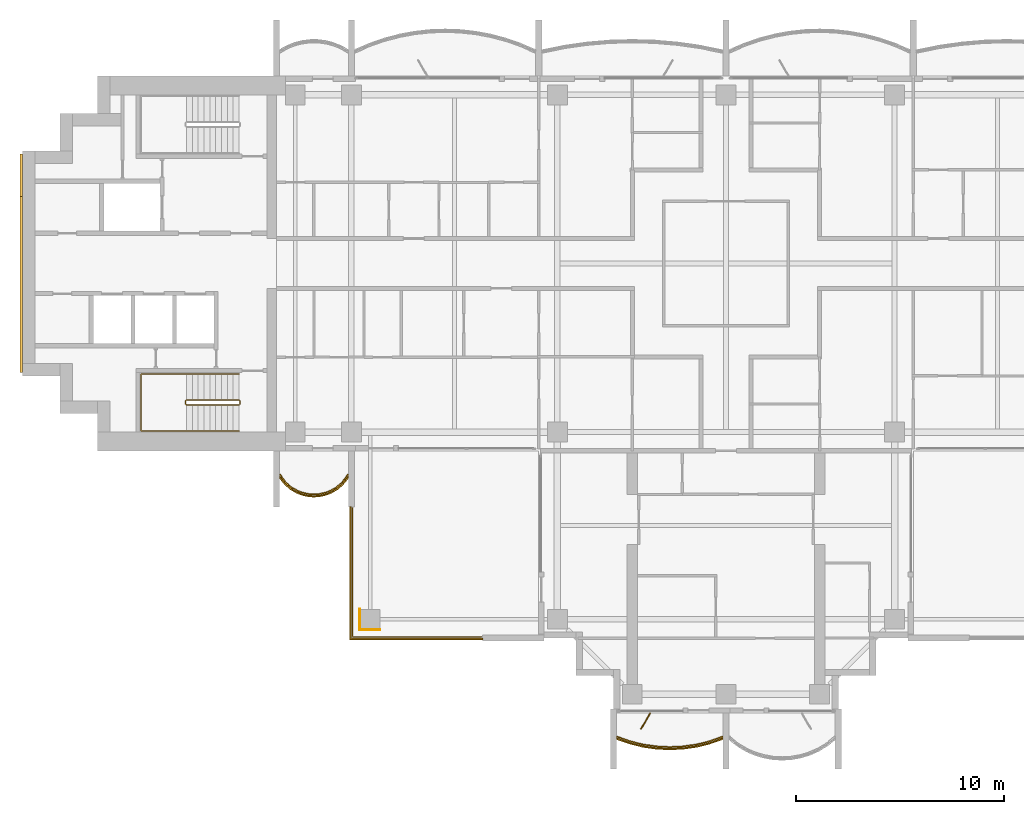
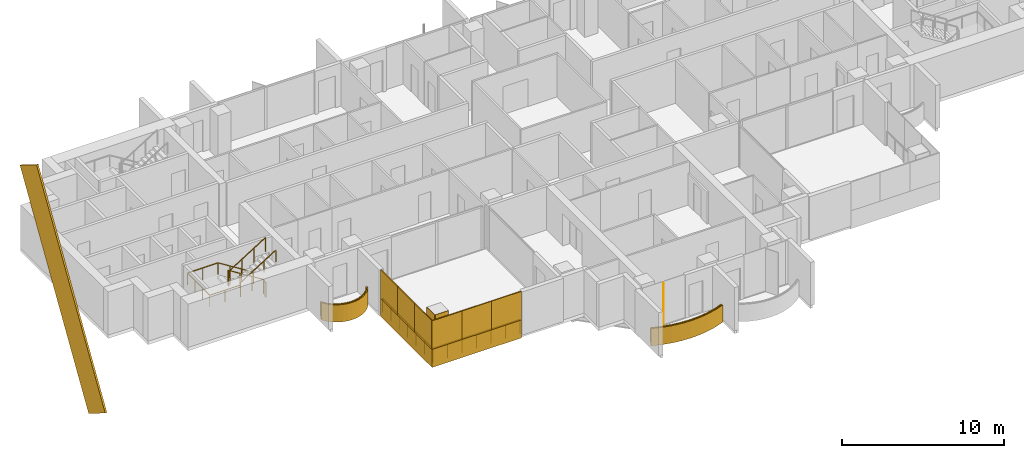
# One storey, part 15 of 18: 12 coverings, 5 railings, 1 shading device.
"""IFC4 building model written with IfcOpenShell, lengths in metres."""

import ifcopenshell
import ifcopenshell.guid

model = None  # the IFC model being written
_history = None  # IfcOwnerHistory: only IFC2X3 demands one
_inside = {}  # id of a spatial element -> (the spatial element, [elements in it])
_under = {}  # id of a project, library or spatial element -> (it, [spatial elements below it])
_declared = {}  # id of a project -> (the project, [libraries it declares])
_typed = {}  # id of a type object -> (the type object, [elements of that type])
_made_of = {}  # id of a material, layer set ... -> (it, [elements and type objects made of it])


def new_model(schema):
    """Start an empty IFC model of exactly this schema.

    Asked for "IFC4X3", IfcOpenShell would pick the latest addendum, in which some entities
    have other attributes; the version numbers below select the first issue.
    IFC2X3 requires an IfcOwnerHistory on every rooted entity: one is made here for all.
    """
    global model, _history
    if schema == "IFC4X3":
        model = ifcopenshell.file(schema_version=(4, 3, 0, 0))
    else:
        model = ifcopenshell.file(schema=schema)
    _inside.clear()
    _under.clear()
    _declared.clear()
    _typed.clear()
    _made_of.clear()
    _history = None
    if model.schema == "IFC2X3":
        org = make("IfcOrganization", Name="unknown")
        user = make(
            "IfcPersonAndOrganization",
            ThePerson=make("IfcPerson", FamilyName="unknown"),
            TheOrganization=org,
        )
        app = make(
            "IfcApplication",
            ApplicationDeveloper=org,
            Version="unknown",
            ApplicationFullName="unknown",
            ApplicationIdentifier="unknown",
        )
        _history = make(
            "IfcOwnerHistory",
            OwningUser=user,
            OwningApplication=app,
            ChangeAction="ADDED",
            CreationDate=0,
        )
    return model


def make(cls, **values):
    """One entity of the class cls with the attributes given. An attribute that is None is left unset."""
    return model.create_entity(
        cls, **{name: value for name, value in values.items() if value is not None}
    )


def rooted(cls, **values):
    """An entity with a GlobalId (a new one), such as an element, a storey or a relation."""
    return make(cls, GlobalId=ifcopenshell.guid.new(), OwnerHistory=_history, **values)


def si_unit(unit_type, name, prefix=None):
    """IfcSIUnit, for example si_unit("LENGTHUNIT", "METRE", prefix="MILLI")."""
    return make("IfcSIUnit", UnitType=unit_type, Prefix=prefix, Name=name)


def assignment(units):
    """IfcUnitAssignment: the units of a project."""
    return None if units is None else make("IfcUnitAssignment", Units=units)


def point(xyz):
    """IfcCartesianPoint."""
    return None if xyz is None else make("IfcCartesianPoint", Coordinates=xyz)


def direction(xyz):
    """IfcDirection."""
    return None if xyz is None else make("IfcDirection", DirectionRatios=xyz)


def frame(location, z_axis=None, x_axis=None):
    """IfcAxis2Placement3D, a coordinate frame: its origin and axes. An axis left out is left unset."""
    return make(
        "IfcAxis2Placement3D",
        Location=point(location),
        Axis=direction(z_axis),
        RefDirection=direction(x_axis),
    )


def frame_2d(location, x_axis=None):
    """IfcAxis2Placement2D, a coordinate frame in the plane: its origin and x axis."""
    return make(
        "IfcAxis2Placement2D", Location=point(location), RefDirection=direction(x_axis)
    )


def origin():
    """The frame at (0, 0, 0) with its axes left unset."""
    return frame((0.0, 0.0, 0.0))


def origin_2d():
    """The frame at (0, 0) in the plane with its x axis left unset."""
    return frame_2d((0.0, 0.0))


def place(relative_to, where):
    """IfcLocalPlacement: puts the frame where relative to a parent placement (None: the world)."""
    return make(
        "IfcLocalPlacement", PlacementRelTo=relative_to, RelativePlacement=where
    )


def context(
    kind, dimensions, precision=None, world=None, true_north=None, identifier=None
):
    """IfcGeometricRepresentationContext, for example the 3D "Model" context."""
    return make(
        "IfcGeometricRepresentationContext",
        ContextIdentifier=identifier,
        ContextType=kind,
        CoordinateSpaceDimension=dimensions,
        Precision=precision,
        WorldCoordinateSystem=world,
        TrueNorth=true_north,
    )


def subcontext(parent, identifier, kind, view, scale=None):
    """IfcGeometricRepresentationSubContext, for example "Body" below "Model"."""
    return make(
        "IfcGeometricRepresentationSubContext",
        ContextIdentifier=identifier,
        ContextType=kind,
        ParentContext=parent,
        TargetScale=scale,
        TargetView=view,
    )


def project(units=None, contexts=None):
    """IfcProject with its units and contexts."""
    return rooted(
        "IfcProject",
        Name="project",
        RepresentationContexts=contexts,
        UnitsInContext=assignment(units),
    )


def spatial(cls, under=None, at=None, **own):
    """A site, building, storey or space (cls), placed at a placement, below another one or the project."""
    s = rooted(cls, ObjectPlacement=at, **own)
    if under is not None:
        _under.setdefault(under.id(), (under, []))[1].append(s)
    return s


def polyline(points):
    """IfcPolyline through the points."""
    return make("IfcPolyline", Points=[point(p) for p in points])


def profile(cls, at=None, kind="AREA", **sizes):
    """A parametric profile (cls). Its sizes go by their IFC names, for example OverallWidth=200.0."""
    return make(cls, ProfileType=kind, Position=at, **sizes)


def rectangle(**sizes):
    """IfcRectangleProfileDef."""
    return profile("IfcRectangleProfileDef", **sizes)


def outline(outer, holes=None, kind="AREA"):
    """IfcArbitraryClosedProfileDef: a profile drawn as a closed curve; with holes, ...WithVoids."""
    if holes is None:
        return make("IfcArbitraryClosedProfileDef", ProfileType=kind, OuterCurve=outer)
    return make(
        "IfcArbitraryProfileDefWithVoids",
        ProfileType=kind,
        OuterCurve=outer,
        InnerCurves=holes,
    )


def extrude(swept, where, along, depth):
    """IfcExtrudedAreaSolid: the profile swept, set in the frame where, extruded along a direction by depth."""
    return make(
        "IfcExtrudedAreaSolid",
        SweptArea=swept,
        Position=where,
        ExtrudedDirection=direction(along),
        Depth=depth,
    )


def shape(context_of_items, identifier, shape_type, items):
    """IfcShapeRepresentation: the items that make up one representation, for example the "Body"."""
    return make(
        "IfcShapeRepresentation",
        ContextOfItems=context_of_items,
        RepresentationIdentifier=identifier,
        RepresentationType=shape_type,
        Items=items,
    )


def material(Name=None, Category=None):
    """IfcMaterial."""
    return make("IfcMaterial", Name=Name, Category=Category)


def layer(
    of_material, thickness, ventilated=None, Name=None, Category=None, Priority=None
):
    """IfcMaterialLayer: one layer of a wall or slab, of a material (None: an air gap)."""
    return make(
        "IfcMaterialLayer",
        Material=of_material,
        LayerThickness=thickness,
        IsVentilated=ventilated,
        Name=Name,
        Category=Category,
        Priority=Priority,
    )


def layer_set(layers, Name=None):
    """IfcMaterialLayerSet."""
    return make("IfcMaterialLayerSet", MaterialLayers=layers, LayerSetName=Name)


def material_profile(
    of_material, cross_section, Name=None, Category=None, Priority=None
):
    """IfcMaterialProfile: a cross section and its material."""
    return make(
        "IfcMaterialProfile",
        Name=Name,
        Material=of_material,
        Profile=cross_section,
        Priority=Priority,
        Category=Category,
    )


def profile_set(profiles, Name=None, composite=None):
    """IfcMaterialProfileSet."""
    return make(
        "IfcMaterialProfileSet",
        Name=Name,
        MaterialProfiles=profiles,
        CompositeProfile=composite,
    )


def made_of(thing, what):
    """Note that an element or type object is made of a material, layer set ...; save() writes the relation."""
    if what is not None:
        _made_of.setdefault(what.id(), (what, []))[1].append(thing)
    return thing


def type_object(cls, material=None, **own):
    """A type object (cls), such as IfcWallType, which elements share."""
    return made_of(rooted(cls, **own), material)


def element(
    cls,
    number,
    at=None,
    inside=None,
    cuts=None,
    type_object=None,
    material=None,
    context=None,
    identifier="Body",
    shape_type=None,
    held_by="IfcProductDefinitionShape",
    body=None,
    shapes=None,
    **own,
):
    """One element of the class cls, such as IfcWall. Its Tag is "e" and its number.

    at: its placement. inside: the storey or other place that contains it. cuts: it is an
    opening in that element (IfcRelVoidsElement). A single representation is given by context,
    identifier, shape_type and body (its items); several are given by shapes. held_by: the class
    of the entity that holds the representations. save() writes the other relations.
    """
    e = rooted(cls, Tag="e%d" % number, ObjectPlacement=at, **own)
    if body is not None:
        shapes = [shape(context, identifier, shape_type, body)]
    if shapes is not None:
        e.Representation = make(held_by, Representations=shapes)
    if inside is not None:
        _inside.setdefault(inside.id(), (inside, []))[1].append(e)
    if cuts is not None:
        rooted(
            "IfcRelVoidsElement", RelatingBuildingElement=cuts, RelatedOpeningElement=e
        )
    if type_object is not None:
        _typed.setdefault(type_object.id(), (type_object, []))[1].append(e)
    return made_of(e, material)


def aggregate(whole, parts):
    """IfcRelAggregates: a whole, such as a stair, and the parts it consists of."""
    return rooted("IfcRelAggregates", RelatingObject=whole, RelatedObjects=parts)


def save(model, path):
    """Write the relations noted so far, then the file.

    IfcRelAggregates (storeys below a building ...), IfcRelContainedInSpatialStructure (elements
    in a storey), IfcRelDefinesByType, IfcRelAssociatesMaterial and IfcRelDeclares: one each for
    every whole, place, type object, material and project.
    """
    for whole, parts in _under.values():
        aggregate(whole, parts)
    for where, things in _inside.values():
        rooted(
            "IfcRelContainedInSpatialStructure",
            RelatedElements=things,
            RelatingStructure=where,
        )
    for kind, things in _typed.values():
        rooted("IfcRelDefinesByType", RelatedObjects=things, RelatingType=kind)
    for what, things in _made_of.values():
        rooted("IfcRelAssociatesMaterial", RelatedObjects=things, RelatingMaterial=what)
    for by, libraries in _declared.values():
        rooted("IfcRelDeclares", RelatingContext=by, RelatedDefinitions=libraries)
    model.write(path)


model = new_model("IFC4")

# Units and contexts
model_context = context("Model", 3, precision=1e-05, world=origin(), true_north=direction((0.0, 1.0)))
body_context = subcontext(model_context, "Body", "Model", "MODEL_VIEW")
ifc_project = project(units=[si_unit("LENGTHUNIT", "METRE"), si_unit("AREAUNIT", "SQUARE_METRE"), si_unit("VOLUMEUNIT", "CUBIC_METRE"), si_unit("PLANEANGLEUNIT", "RADIAN"), si_unit("MASSUNIT", "GRAM", prefix="KILO")], contexts=[model_context])

# Site, building, storey
site_placement = place(None, origin())
site = spatial("IfcSite", under=ifc_project, at=site_placement, CompositionType="ELEMENT")
building_placement = place(site_placement, origin())
building = spatial("IfcBuilding", under=site, at=building_placement, Name="Perihelion Cross Residences", CompositionType="ELEMENT")
storey_placement = place(building_placement, frame((0.0, 0.0, 215.60009765625)))
storey = spatial("IfcBuildingStorey", under=building, at=storey_placement, Name="L54", CompositionType="ELEMENT", Elevation=215.60009765625)

# Coverings
ifc_material_1 = material(Name="Bronze anodised aluminium", Category="aluminium")
ifc_layer_1 = layer(ifc_material_1, 0.070068359375)
ifc_layer_set_1 = layer_set([ifc_layer_1], Name="Balcony fascia 1300")
covering_type_1 = type_object("IfcCoveringType", Name="Balcony fascia 1300", PredefinedType="CLADDING", material=ifc_layer_set_1)
covering_1_placement = place(storey_placement, frame((0.0, 0.0, -0.2001953125)))
element("IfcCovering", 1, at=covering_1_placement, inside=storey, type_object=covering_type_1, Name="Fascia BF1 L54 west side south bay 1", PredefinedType="CLADDING", context=body_context, shape_type="SweptSolid", body=[
    extrude(outline(polyline([(-21.226318359375, -10.616455078125), (-20.94091796875, -10.86328125), (-20.655517578125, -11.031494140625), (-20.370361328125, -11.142578125), (-20.085205078125, -11.206298828125), (-19.800048828125, -11.22705078125), (-19.514892578125, -11.206298828125), (-19.229736328125, -11.142578125), (-18.9443359375, -11.031494140625), (-18.6591796875, -10.86328125), (-18.373779296875, -10.616455078125), (-18.14990234375, -10.31689453125), (-18.14990234375, -10.199951171875), (-18.425048828125, -10.568603515625), (-18.699951171875, -10.806396484375), (-18.97509765625, -10.96875), (-19.25, -11.07568359375), (-19.52490234375, -11.136962890625), (-19.800048828125, -11.156982421875), (-20.074951171875, -11.136962890625), (-20.35009765625, -11.07568359375), (-20.625, -10.96875), (-20.89990234375, -10.806396484375), (-21.175048828125, -10.568603515625), (-21.449951171875, -10.199951171875), (-21.449951171875, -10.31689453125), (-21.226318359375, -10.616455078125)])), origin(), (0.0, 0.0, 1.0), 1.300048828125),
])
covering_2_placement = place(storey_placement, frame((0.0, 0.0, -0.2001953125)))
element("IfcCovering", 2, at=covering_2_placement, inside=storey, type_object=covering_type_1, Name="Fascia BF1 L54 south tip south bay 1", PredefinedType="CLADDING", context=body_context, shape_type="SweptSolid", body=[
    extrude(outline(polyline([(-4.63232421875, -23.090576171875), (-3.98828125, -23.247314453125), (-3.34423828125, -23.339599609375), (-2.699951171875, -23.3701171875), (-2.055908203125, -23.339599609375), (-1.411865234375, -23.247314453125), (-0.767578125, -23.090576171875), (-0.14990234375, -22.874267578125), (-0.14990234375, -22.800048828125), (-0.78759765625, -23.0234375), (-1.425048828125, -23.178466796875), (-2.0625, -23.269775390625), (-2.699951171875, -23.300048828125), (-3.33740234375, -23.269775390625), (-3.97509765625, -23.178466796875), (-4.612548828125, -23.0234375), (-5.25, -22.800048828125), (-5.25, -22.874267578125), (-4.63232421875, -23.090576171875)])), origin(), (0.0, 0.0, 1.0), 1.300048828125),
])

# Railings
ifc_material_2 = material(Name="Bronze anodised aluminium", Category="aluminium")
railing_type_1 = type_object("IfcRailingType", Name="Balcony guard 1100", PredefinedType="GUARDRAIL", material=ifc_material_2)
railing_1_placement = place(storey_placement, frame((-21.425048828125, -10.139892578125, 0.0)))
element("IfcRailing", 3, at=railing_1_placement, inside=storey, type_object=railing_type_1, Name="Guard GU1 L54 west side south bay 1 balcony", PredefinedType="GUARDRAIL", context=body_context, shape_type="SweptSolid", body=[
    extrude(rectangle(XDim=0.048095703125, YDim=0.048095703125, at=origin_2d()), frame((0.0, 0.0, 1.076171875), z_axis=(0.561260132269, -0.827639452857, 0.0), x_axis=(0.827639452857, 0.561260132269, 0.0)), (0.0, 0.0, 1.0), 0.4453125),
    extrude(rectangle(XDim=0.048095703125, YDim=0.048095703125, at=origin_2d()), frame((0.25, -0.36865234375, 1.076171875), z_axis=(0.756596535164, -0.653882009982, 0.0), x_axis=(0.653882009982, 0.756596535164, 0.0)), (0.0, 0.0, 1.0), 0.36376953125),
    extrude(rectangle(XDim=0.048095703125, YDim=0.048095703125, at=origin_2d()), frame((0.525146484375, -0.6064453125, 1.076171875), z_axis=(0.861048292884, -0.508523192511, 0.0), x_axis=(0.508523192511, 0.861048292884, 0.0)), (0.0, 0.0, 1.0), 0.3193359375),
    extrude(rectangle(XDim=0.048095703125, YDim=0.048095703125, at=origin_2d()), frame((0.800048828125, -0.768798828125, 1.076171875), z_axis=(0.931973602183, -0.362526143656, 0.0), x_axis=(0.362526143656, 0.931973602183, 0.0)), (0.0, 0.0, 1.0), 0.294921875),
    extrude(rectangle(XDim=0.048095703125, YDim=0.048095703125, at=origin_2d()), frame((1.074951171875, -0.875732421875, 1.076171875), z_axis=(0.976085059389, -0.21738895289, 0.0), x_axis=(0.21738895289, 0.976085059389, 0.0)), (0.0, 0.0, 1.0), 0.281982421875),
    extrude(rectangle(XDim=0.048095703125, YDim=0.048095703125, at=origin_2d()), frame((1.35009765625, -0.93701171875, 1.076171875), z_axis=(0.997358821833, -0.072631814734, 0.0), x_axis=(0.072631814734, 0.997358821833, 0.0)), (0.0, 0.0, 1.0), 0.275634765625),
    extrude(rectangle(XDim=0.048095703125, YDim=0.048095703125, at=origin_2d()), frame((1.625, -0.95703125, 1.076171875), z_axis=(0.997363488337, 0.072567707226, 0.0), x_axis=(-0.072567707226, 0.997363488337, 0.0)), (0.0, 0.0, 1.0), 0.27587890625),
    extrude(rectangle(XDim=0.048095703125, YDim=0.048095703125, at=origin_2d()), frame((1.900146484375, -0.93701171875, 1.076171875), z_axis=(0.976044077717, 0.217572880557, 0.0), x_axis=(-0.217572880557, 0.976044077717, 0.0)), (0.0, 0.0, 1.0), 0.28173828125),
    extrude(rectangle(XDim=0.048095703125, YDim=0.048095703125, at=origin_2d()), frame((2.175048828125, -0.875732421875, 1.076171875), z_axis=(0.931973602183, 0.362526143656, 0.0), x_axis=(-0.362526143656, 0.931973602183, 0.0)), (0.0, 0.0, 1.0), 0.294921875),
    extrude(rectangle(XDim=0.048095703125, YDim=0.048095703125, at=origin_2d()), frame((2.449951171875, -0.768798828125, 1.076171875), z_axis=(0.861245845072, 0.508188542123, 0.0), x_axis=(-0.508188542123, 0.861245845072, 0.0)), (0.0, 0.0, 1.0), 0.319580078125),
    extrude(rectangle(XDim=0.048095703125, YDim=0.048095703125, at=origin_2d()), frame((2.72509765625, -0.6064453125, 1.076171875), z_axis=(0.756309278473, 0.654214242658, 0.0), x_axis=(-0.654214242658, 0.756309278473, 0.0)), (0.0, 0.0, 1.0), 0.363525390625),
    extrude(rectangle(XDim=0.048095703125, YDim=0.048095703125, at=origin_2d()), frame((3.0, -0.36865234375, 1.076171875), z_axis=(0.561260132269, 0.827639452857, 0.0), x_axis=(-0.827639452857, 0.561260132269, 0.0)), (0.0, 0.0, 1.0), 0.4453125),
    extrude(rectangle(XDim=0.0419921875, YDim=0.0419921875, at=origin_2d()), origin(), (0.0, 0.0, 1.0), 1.052001953125),
    extrude(rectangle(XDim=0.0419921875, YDim=0.0419921875, at=origin_2d()), frame((0.25, -0.36865234375, 0.0)), (0.0, 0.0, 1.0), 1.052001953125),
    extrude(rectangle(XDim=0.0419921875, YDim=0.0419921875, at=origin_2d()), frame((0.525146484375, -0.6064453125, 0.0)), (0.0, 0.0, 1.0), 1.052001953125),
    extrude(rectangle(XDim=0.0419921875, YDim=0.0419921875, at=origin_2d()), frame((0.800048828125, -0.768798828125, 0.0)), (0.0, 0.0, 1.0), 1.052001953125),
    extrude(rectangle(XDim=0.0419921875, YDim=0.0419921875, at=origin_2d()), frame((1.074951171875, -0.875732421875, 0.0)), (0.0, 0.0, 1.0), 1.052001953125),
    extrude(rectangle(XDim=0.0419921875, YDim=0.0419921875, at=origin_2d()), frame((1.35009765625, -0.93701171875, 0.0)), (0.0, 0.0, 1.0), 1.052001953125),
    extrude(rectangle(XDim=0.0419921875, YDim=0.0419921875, at=origin_2d()), frame((1.625, -0.95703125, 0.0)), (0.0, 0.0, 1.0), 1.052001953125),
    extrude(rectangle(XDim=0.0419921875, YDim=0.0419921875, at=origin_2d()), frame((1.900146484375, -0.93701171875, 0.0)), (0.0, 0.0, 1.0), 1.052001953125),
    extrude(rectangle(XDim=0.0419921875, YDim=0.0419921875, at=origin_2d()), frame((2.175048828125, -0.875732421875, 0.0)), (0.0, 0.0, 1.0), 1.052001953125),
    extrude(rectangle(XDim=0.0419921875, YDim=0.0419921875, at=origin_2d()), frame((2.449951171875, -0.768798828125, 0.0)), (0.0, 0.0, 1.0), 1.052001953125),
    extrude(rectangle(XDim=0.0419921875, YDim=0.0419921875, at=origin_2d()), frame((2.72509765625, -0.6064453125, 0.0)), (0.0, 0.0, 1.0), 1.052001953125),
    extrude(rectangle(XDim=0.0419921875, YDim=0.0419921875, at=origin_2d()), frame((3.0, -0.36865234375, 0.0)), (0.0, 0.0, 1.0), 1.052001953125),
    extrude(rectangle(XDim=0.0419921875, YDim=0.0419921875, at=origin_2d()), frame((3.25, 0.0, 0.0)), (0.0, 0.0, 1.0), 1.052001953125),
])
railing_2_placement = place(storey_placement, frame((-5.22509765625, -22.739990234375, 0.0)))
element("IfcRailing", 4, at=railing_2_placement, inside=storey, type_object=railing_type_1, Name="Guard GU1 L54 south tip south bay 1 balcony", PredefinedType="GUARDRAIL", context=body_context, shape_type="SweptSolid", body=[
    extrude(rectangle(XDim=0.048095703125, YDim=0.048095703125, at=origin_2d()), frame((0.0, 0.0, 1.076171875), z_axis=(0.939355405384, -0.342945217749, 0.0), x_axis=(0.342945217749, 0.939355405384, 0.0)), (0.0, 0.0, 1.0), 0.652099609375),
    extrude(rectangle(XDim=0.048095703125, YDim=0.048095703125, at=origin_2d()), frame((0.612548828125, -0.2236328125, 1.076171875), z_axis=(0.971676841941, -0.236313594268, 0.0), x_axis=(0.236313594268, 0.971676841941, 0.0)), (0.0, 0.0, 1.0), 0.656005859375),
    extrude(rectangle(XDim=0.048095703125, YDim=0.048095703125, at=origin_2d()), frame((1.25, -0.378662109375, 1.076171875), z_axis=(0.989903964498, -0.141739694763, 0.0), x_axis=(0.141739694763, 0.989903964498, 0.0)), (0.0, 0.0, 1.0), 0.644287109375),
    extrude(rectangle(XDim=0.048095703125, YDim=0.048095703125, at=origin_2d()), frame((1.8876953125, -0.469970703125, 1.076171875), z_axis=(0.998892243319, -0.04705620296, 0.0), x_axis=(0.04705620296, 0.998892243319, 0.0)), (0.0, 0.0, 1.0), 0.63818359375),
    extrude(rectangle(XDim=0.048095703125, YDim=0.048095703125, at=origin_2d()), frame((2.525146484375, -0.5, 1.076171875), z_axis=(0.998892243319, 0.04705620296, 0.0), x_axis=(-0.04705620296, 0.998892243319, 0.0)), (0.0, 0.0, 1.0), 0.63818359375),
    extrude(rectangle(XDim=0.048095703125, YDim=0.048095703125, at=origin_2d()), frame((3.16259765625, -0.469970703125, 1.076171875), z_axis=(0.989896346386, 0.141792889142, 0.0), x_axis=(-0.141792889142, 0.989896346386, 0.0)), (0.0, 0.0, 1.0), 0.64404296875),
    extrude(rectangle(XDim=0.048095703125, YDim=0.048095703125, at=origin_2d()), frame((3.800048828125, -0.378662109375, 1.076171875), z_axis=(0.971676841941, 0.236313594268, 0.0), x_axis=(-0.236313594268, 0.971676841941, 0.0)), (0.0, 0.0, 1.0), 0.656005859375),
    extrude(rectangle(XDim=0.048095703125, YDim=0.048095703125, at=origin_2d()), frame((4.4375, -0.2236328125, 1.076171875), z_axis=(0.939355405384, 0.342945217749, 0.0), x_axis=(-0.342945217749, 0.939355405384, 0.0)), (0.0, 0.0, 1.0), 0.652099609375),
    extrude(rectangle(XDim=0.0419921875, YDim=0.0419921875, at=origin_2d()), origin(), (0.0, 0.0, 1.0), 1.052001953125),
    extrude(rectangle(XDim=0.0419921875, YDim=0.0419921875, at=origin_2d()), frame((0.612548828125, -0.2236328125, 0.0)), (0.0, 0.0, 1.0), 1.052001953125),
    extrude(rectangle(XDim=0.0419921875, YDim=0.0419921875, at=origin_2d()), frame((1.25, -0.378662109375, 0.0)), (0.0, 0.0, 1.0), 1.052001953125),
    extrude(rectangle(XDim=0.0419921875, YDim=0.0419921875, at=origin_2d()), frame((1.8876953125, -0.469970703125, 0.0)), (0.0, 0.0, 1.0), 1.052001953125),
    extrude(rectangle(XDim=0.0419921875, YDim=0.0419921875, at=origin_2d()), frame((2.525146484375, -0.5, 0.0)), (0.0, 0.0, 1.0), 1.052001953125),
    extrude(rectangle(XDim=0.0419921875, YDim=0.0419921875, at=origin_2d()), frame((3.16259765625, -0.469970703125, 0.0)), (0.0, 0.0, 1.0), 1.052001953125),
    extrude(rectangle(XDim=0.0419921875, YDim=0.0419921875, at=origin_2d()), frame((3.800048828125, -0.378662109375, 0.0)), (0.0, 0.0, 1.0), 1.052001953125),
    extrude(rectangle(XDim=0.0419921875, YDim=0.0419921875, at=origin_2d()), frame((4.4375, -0.2236328125, 0.0)), (0.0, 0.0, 1.0), 1.052001953125),
    extrude(rectangle(XDim=0.0419921875, YDim=0.0419921875, at=origin_2d()), frame((5.050048828125, 0.0, 0.0)), (0.0, 0.0, 1.0), 1.052001953125),
])
railing_3_placement = place(storey_placement, frame((-11.739990234375, -17.93994140625, 0.0)))
element("IfcRailing", 5, at=railing_3_placement, inside=storey, type_object=railing_type_1, Name="Guard GU1 L54 pocket south-west 1", PredefinedType="GUARDRAIL", context=body_context, shape_type="SweptSolid", body=[
    extrude(rectangle(XDim=0.048095703125, YDim=0.048095703125, at=origin_2d()), frame((0.0, 0.0, 1.076171875), z_axis=(-1.0, 0.0, 0.0), x_axis=(0.0, -1.0, 0.0)), (0.0, 0.0, 1.0), 6.199951171875),
    extrude(rectangle(XDim=0.048095703125, YDim=0.048095703125, at=origin_2d()), frame((-6.199951171875, 0.0, 1.076171875), z_axis=(0.0, 1.0, 0.0), x_axis=(-1.0, 0.0, 0.0)), (0.0, 0.0, 1.0), 6.199951171875),
    extrude(rectangle(XDim=0.0419921875, YDim=0.0419921875, at=origin_2d()), origin(), (0.0, 0.0, 1.0), 1.052001953125),
    extrude(rectangle(XDim=0.0419921875, YDim=0.0419921875, at=origin_2d()), frame((-1.033203125, 0.0, 0.0)), (0.0, 0.0, 1.0), 1.052001953125),
    extrude(rectangle(XDim=0.0419921875, YDim=0.0419921875, at=origin_2d()), frame((-2.066650390625, 0.0, 0.0)), (0.0, 0.0, 1.0), 1.052001953125),
    extrude(rectangle(XDim=0.0419921875, YDim=0.0419921875, at=origin_2d()), frame((-3.10009765625, 0.0, 0.0)), (0.0, 0.0, 1.0), 1.052001953125),
    extrude(rectangle(XDim=0.0419921875, YDim=0.0419921875, at=origin_2d()), frame((-4.13330078125, 0.0, 0.0)), (0.0, 0.0, 1.0), 1.052001953125),
    extrude(rectangle(XDim=0.0419921875, YDim=0.0419921875, at=origin_2d()), frame((-5.16650390625, 0.0, 0.0)), (0.0, 0.0, 1.0), 1.052001953125),
    extrude(rectangle(XDim=0.0419921875, YDim=0.0419921875, at=origin_2d()), frame((-6.199951171875, 0.0, 0.0)), (0.0, 0.0, 1.0), 1.052001953125),
    extrude(rectangle(XDim=0.0419921875, YDim=0.0419921875, at=origin_2d()), frame((-6.199951171875, 1.033203125, 0.0)), (0.0, 0.0, 1.0), 1.052001953125),
    extrude(rectangle(XDim=0.0419921875, YDim=0.0419921875, at=origin_2d()), frame((-6.199951171875, 2.066650390625, 0.0)), (0.0, 0.0, 1.0), 1.052001953125),
    extrude(rectangle(XDim=0.0419921875, YDim=0.0419921875, at=origin_2d()), frame((-6.199951171875, 3.10009765625, 0.0)), (0.0, 0.0, 1.0), 1.052001953125),
    extrude(rectangle(XDim=0.0419921875, YDim=0.0419921875, at=origin_2d()), frame((-6.199951171875, 4.13330078125, 0.0)), (0.0, 0.0, 1.0), 1.052001953125),
    extrude(rectangle(XDim=0.0419921875, YDim=0.0419921875, at=origin_2d()), frame((-6.199951171875, 5.16650390625, 0.0)), (0.0, 0.0, 1.0), 1.052001953125),
    extrude(rectangle(XDim=0.0419921875, YDim=0.0419921875, at=origin_2d()), frame((-6.199951171875, 6.199951171875, 0.0)), (0.0, 0.0, 1.0), 1.052001953125),
])

# Coverings
ifc_material_3 = material(Name="Bronze anodised aluminium", Category="aluminium")
ifc_material_profile = material_profile(ifc_material_3, rectangle(XDim=0.125, YDim=2.39990234375, at=origin_2d()), Name="Bronze cladding band 2400")
ifc_profile_set = profile_set([ifc_material_profile], Name="Bronze anodised aluminium")
covering_type_2 = type_object("IfcCoveringType", Name="Bronze cladding band 2400", PredefinedType="CLADDING", material=ifc_profile_set)
covering_3_placement = place(storey_placement, frame((-33.862548828125, -4.232421875, -6.5390625), z_axis=(0.0, 0.529924750763, 0.848044667767), x_axis=(-1.0, 0.0, 0.0)))
element("IfcCovering", 6, at=covering_3_placement, inside=storey, type_object=covering_type_2, Name="Core cladding band, west core", PredefinedType="CLADDING", context=body_context, shape_type="SweptSolid", body=[
    extrude(rectangle(XDim=0.125, YDim=2.39990234375, at=origin_2d()), origin(), (0.0, 0.0, 1.0), 15.9736328125),
])
ifc_material_4 = material(Name="Bronze anodised aluminium", Category="aluminium")
ifc_layer_2 = layer(ifc_material_4, 0.0400390625)
ifc_layer_set_2 = layer_set([ifc_layer_2], Name="Bronze column casing 40")
covering_type_3 = type_object("IfcCoveringType", Name="Bronze column casing 40", PredefinedType="CLADDING", material=ifc_layer_set_2)
covering_4_placement = place(storey_placement, frame((-17.594970703125, -17.10009765625, -0.25), z_axis=(0.0, 0.0, 1.0), x_axis=(1.0, 0.0, 0.0)))
element("IfcCovering", 7, at=covering_4_placement, inside=storey, type_object=covering_type_3, Name="Cladding CC1 L54 casing east-west no. 1", PredefinedType="CLADDING", context=body_context, shape_type="SweptSolid", body=[
    extrude(rectangle(XDim=0.0400390625, YDim=1.030029296875, at=origin_2d()), origin(), (0.0, 0.0, 1.0), 3.5),
])
covering_5_placement = place(storey_placement, frame((-17.10009765625, -17.594970703125, -0.25), z_axis=(0.0, 0.0, 1.0), x_axis=(1.0, 0.0, 0.0)))
element("IfcCovering", 8, at=covering_5_placement, inside=storey, type_object=covering_type_3, Name="Cladding CC1 L54 casing north-south no. 1", PredefinedType="CLADDING", context=body_context, shape_type="SweptSolid", body=[
    extrude(rectangle(XDim=0.949951171875, YDim=0.0400390625, at=origin_2d()), origin(), (0.0, 0.0, 1.0), 3.5),
])

# Shading device
ifc_material_5 = material(Name="Bronze anodised aluminium", Category="aluminium")
ifc_layer_3 = layer(ifc_material_5, 0.050048828125)
ifc_layer_set_3 = layer_set([ifc_layer_3], Name="Bronze fin 900")
shading_device_type = type_object("IfcShadingDeviceType", Name="Bronze fin 900", PredefinedType="USERDEFINED", material=ifc_layer_set_3)
shading_device_placement = place(storey_placement, frame((-3.862548828125, -21.98974609375, 0.0), z_axis=(0.0, 0.0, 1.0), x_axis=(-0.5, -0.866025403784, 0.0)))
element("IfcShadingDevice", 9, at=shading_device_placement, inside=storey, type_object=shading_device_type, Name="Fin FN1 L54 south tip south bay 1", ObjectType="FIN", PredefinedType="USERDEFINED", context=body_context, shape_type="SweptSolid", body=[
    extrude(rectangle(XDim=0.89990234375, YDim=0.050048828125, at=origin_2d()), origin(), (0.0, 0.0, 1.0), 3.25),
])

# Coverings
ifc_material_6 = material(Name="Bronze anodised aluminium", Category="aluminium")
ifc_layer_4 = layer(ifc_material_6, 0.070068359375)
ifc_layer_set_4 = layer_set([ifc_layer_4], Name="Pocket fascia 1350")
covering_type_4 = type_object("IfcCoveringType", Name="Pocket fascia 1350", PredefinedType="CLADDING", material=ifc_layer_set_4)
covering_6_placement = place(storey_placement, frame((0.0, 0.0, -0.25)))
element("IfcCovering", 10, at=covering_6_placement, inside=storey, type_object=covering_type_4, Name="Fascia BF2 L54 pocket south-west 1", PredefinedType="CLADDING", context=body_context, shape_type="SweptSolid", body=[
    extrude(outline(polyline([(-18.070068359375, -11.699951171875), (-18.070068359375, -18.070068359375), (-11.699951171875, -18.070068359375), (-11.699951171875, -18.0), (-18.0, -18.0), (-18.0, -11.699951171875), (-18.070068359375, -11.699951171875)])), origin(), (0.0, 0.0, 1.0), 1.349853515625),
])
ifc_material_7 = material(Name="Bronze perforated aluminium", Category="aluminium")
ifc_layer_5 = layer(ifc_material_7, 0.070068359375)
ifc_layer_set_5 = layer_set([ifc_layer_5], Name="Pocket solar screen, bronze perforated")
covering_type_5 = type_object("IfcCoveringType", Name="Pocket solar screen, bronze perforated", PredefinedType="CLADDING", material=ifc_layer_set_5)
covering_7_placement = place(storey_placement, frame((0.0, 0.0, 1.099853515625)))
element("IfcCovering", 11, at=covering_7_placement, inside=storey, type_object=covering_type_5, Name="Solar screen PS1 L54 pocket south-west no. 1", PredefinedType="CLADDING", context=body_context, shape_type="SweptSolid", body=[
    extrude(outline(polyline([(-18.0, -18.0), (-18.0, -15.89990234375), (-18.070068359375, -15.89990234375), (-18.070068359375, -18.0), (-18.0, -18.0)])), origin(), (0.0, 0.0, 1.0), 2.150146484375),
])
covering_8_placement = place(storey_placement, frame((0.0, 0.0, 1.099853515625)))
element("IfcCovering", 12, at=covering_8_placement, inside=storey, type_object=covering_type_5, Name="Solar screen PS1 L54 pocket south-west no. 2", PredefinedType="CLADDING", context=body_context, shape_type="SweptSolid", body=[
    extrude(outline(polyline([(-18.0, -15.89990234375), (-18.0, -13.800048828125), (-18.070068359375, -13.800048828125), (-18.070068359375, -15.89990234375), (-18.0, -15.89990234375)])), origin(), (0.0, 0.0, 1.0), 2.150146484375),
])
covering_9_placement = place(storey_placement, frame((0.0, 0.0, 1.099853515625)))
element("IfcCovering", 13, at=covering_9_placement, inside=storey, type_object=covering_type_5, Name="Solar screen PS1 L54 pocket south-west no. 3", PredefinedType="CLADDING", context=body_context, shape_type="SweptSolid", body=[
    extrude(outline(polyline([(-18.0, -13.800048828125), (-18.0, -11.699951171875), (-18.070068359375, -11.699951171875), (-18.070068359375, -13.800048828125), (-18.0, -13.800048828125)])), origin(), (0.0, 0.0, 1.0), 2.150146484375),
])
covering_10_placement = place(storey_placement, frame((0.0, 0.0, 1.099853515625)))
element("IfcCovering", 14, at=covering_10_placement, inside=storey, type_object=covering_type_5, Name="Solar screen PS1 L54 pocket south-west no. 4", PredefinedType="CLADDING", context=body_context, shape_type="SweptSolid", body=[
    extrude(outline(polyline([(-15.94677734375, -18.070068359375), (-15.94677734375, -18.0), (-18.070068359375, -18.0), (-18.070068359375, -18.070068359375), (-15.94677734375, -18.070068359375)])), origin(), (0.0, 0.0, 1.0), 2.150146484375),
])
covering_11_placement = place(storey_placement, frame((0.0, 0.0, 1.099853515625)))
element("IfcCovering", 15, at=covering_11_placement, inside=storey, type_object=covering_type_5, Name="Solar screen PS1 L54 pocket south-west no. 5", PredefinedType="CLADDING", context=body_context, shape_type="SweptSolid", body=[
    extrude(outline(polyline([(-13.8232421875, -18.070068359375), (-13.8232421875, -18.0), (-15.94677734375, -18.0), (-15.94677734375, -18.070068359375), (-13.8232421875, -18.070068359375)])), origin(), (0.0, 0.0, 1.0), 2.150146484375),
])
covering_12_placement = place(storey_placement, frame((0.0, 0.0, 1.099853515625)))
element("IfcCovering", 16, at=covering_12_placement, inside=storey, type_object=covering_type_5, Name="Solar screen PS1 L54 pocket south-west no. 6", PredefinedType="CLADDING", context=body_context, shape_type="SweptSolid", body=[
    extrude(outline(polyline([(-11.699951171875, -18.070068359375), (-11.699951171875, -18.0), (-13.8232421875, -18.0), (-13.8232421875, -18.070068359375), (-11.699951171875, -18.070068359375)])), origin(), (0.0, 0.0, 1.0), 2.150146484375),
])

# Railings
ifc_material_8 = material(Name="Stainless steel", Category="steel")
railing_type_2 = type_object("IfcRailingType", Name="Stair guard 1100", PredefinedType="GUARDRAIL", material=ifc_material_8)
railing_4_placement = place(storey_placement, frame((-23.35009765625, -6.75, 0.0)))
element("IfcRailing", 17, at=railing_4_placement, inside=storey, type_object=railing_type_2, Name="L54 ST-W2 stair guard 1", PredefinedType="GUARDRAIL", context=body_context, shape_type="SweptSolid", body=[
    extrude(rectangle(XDim=0.048095703125, YDim=0.048095703125, at=origin_2d()), frame((0.0, 0.0, 1.076171875), z_axis=(0.0, 1.0, 0.0), x_axis=(-1.0, 0.0, 0.0)), (0.0, 0.0, 1.0), 0.14990234375),
    extrude(rectangle(XDim=0.048095703125, YDim=0.048095703125, at=origin_2d()), frame((0.0, 0.14990234375, 1.076171875), z_axis=(-0.264179342666, 0.265474339444, 0.927217692888), x_axis=(-0.708833529934, -0.705375805398, 0.0)), (0.0, 0.0, 1.0), 0.1884765625),
    extrude(rectangle(XDim=0.048095703125, YDim=0.048095703125, at=origin_2d()), frame((-0.0498046875, 0.199951171875, 1.2509765625), z_axis=(-0.847970611238, 0.0, 0.530043245855), x_axis=(0.0, -1.0, 0.0)), (0.0, 0.0, 1.0), 2.971923828125),
    extrude(rectangle(XDim=0.048095703125, YDim=0.048095703125, at=origin_2d()), frame((-2.56982421875, 0.199951171875, 2.826171875), z_axis=(-0.707106781187, -0.707106781187, 0.0), x_axis=(0.707106781187, -0.707106781187, 0.0)), (0.0, 0.0, 1.0), 0.07080078125),
    extrude(rectangle(XDim=0.048095703125, YDim=0.048095703125, at=origin_2d()), frame((-2.619873046875, 0.14990234375, 2.826171875), z_axis=(0.0, -1.0, 0.0), x_axis=(1.0, 0.0, 0.0)), (0.0, 0.0, 1.0), 0.14990234375),
    extrude(rectangle(XDim=0.048095703125, YDim=0.048095703125, at=origin_2d()), frame((-2.619873046875, 0.0, 2.826171875), z_axis=(0.265383341853, -0.265383341853, 0.926899867156), x_axis=(0.707106781187, 0.707106781187, 0.0)), (0.0, 0.0, 1.0), 0.1884765625),
    extrude(rectangle(XDim=0.048095703125, YDim=0.048095703125, at=origin_2d()), frame((-2.56982421875, -0.050048828125, 3.0009765625), z_axis=(0.847970611238, 0.0, 0.530043245855), x_axis=(0.0, 1.0, 0.0)), (0.0, 0.0, 1.0), 2.971923828125),
    extrude(rectangle(XDim=0.0419921875, YDim=0.0419921875, at=origin_2d()), origin(), (0.0, 0.0, 1.0), 1.052001953125),
    extrude(rectangle(XDim=0.0419921875, YDim=0.0419921875, at=origin_2d()), frame((0.0, 0.14990234375, 0.0)), (0.0, 0.0, 1.0), 1.052001953125),
    extrude(rectangle(XDim=0.0419921875, YDim=0.0419921875, at=origin_2d()), frame((-0.0498046875, 0.199951171875, 0.1748046875)), (0.0, 0.0, 1.0), 1.052001953125),
    extrude(rectangle(XDim=0.0419921875, YDim=0.0419921875, at=origin_2d()), frame((-0.889892578125, 0.199951171875, 0.699951171875)), (0.0, 0.0, 1.0), 1.052001953125),
    extrude(rectangle(XDim=0.0419921875, YDim=0.0419921875, at=origin_2d()), frame((-1.729736328125, 0.199951171875, 1.224853515625)), (0.0, 0.0, 1.0), 1.052001953125),
    extrude(rectangle(XDim=0.0419921875, YDim=0.0419921875, at=origin_2d()), frame((-2.56982421875, 0.199951171875, 1.75)), (0.0, 0.0, 1.0), 1.052001953125),
    extrude(rectangle(XDim=0.0419921875, YDim=0.0419921875, at=origin_2d()), frame((-2.619873046875, 0.14990234375, 1.75)), (0.0, 0.0, 1.0), 1.052001953125),
    extrude(rectangle(XDim=0.0419921875, YDim=0.0419921875, at=origin_2d()), frame((-2.619873046875, 0.0, 1.75)), (0.0, 0.0, 1.0), 1.052001953125),
    extrude(rectangle(XDim=0.0419921875, YDim=0.0419921875, at=origin_2d()), frame((-2.56982421875, -0.050048828125, 1.9248046875)), (0.0, 0.0, 1.0), 1.052001953125),
    extrude(rectangle(XDim=0.0419921875, YDim=0.0419921875, at=origin_2d()), frame((-1.729736328125, -0.050048828125, 2.449951171875)), (0.0, 0.0, 1.0), 1.052001953125),
    extrude(rectangle(XDim=0.0419921875, YDim=0.0419921875, at=origin_2d()), frame((-0.889892578125, -0.050048828125, 2.974853515625)), (0.0, 0.0, 1.0), 1.052001953125),
    extrude(rectangle(XDim=0.0419921875, YDim=0.0419921875, at=origin_2d()), frame((-0.0498046875, -0.050048828125, 3.5)), (0.0, 0.0, 1.0), 1.052001953125),
])
ifc_material_9 = material(Name="Stainless steel", Category="steel")
railing_type_3 = type_object("IfcRailingType", Name="Stair handrail 900", PredefinedType="HANDRAIL", material=ifc_material_9)
railing_5_placement = place(storey_placement, frame((-23.39990234375, -5.300048828125, 0.1748046875)))
element("IfcRailing", 18, at=railing_5_placement, inside=storey, type_object=railing_type_3, Name="L54 ST-W2 stair handrail 1", PredefinedType="HANDRAIL", context=body_context, shape_type="SweptSolid", body=[
    extrude(rectangle(XDim=0.048095703125, YDim=0.048095703125, at=origin_2d()), frame((0.0, 0.0, 0.8759765625), z_axis=(-0.847970611238, 0.0, 0.530043245855), x_axis=(0.0, -1.0, 0.0)), (0.0, 0.0, 1.0), 2.971923828125),
    extrude(rectangle(XDim=0.048095703125, YDim=0.048095703125, at=origin_2d()), frame((-2.52001953125, 0.0, 2.451171875), z_axis=(-1.0, 0.0, 0.0), x_axis=(0.0, -1.0, 0.0)), (0.0, 0.0, 1.0), 2.18017578125),
    extrude(rectangle(XDim=0.048095703125, YDim=0.048095703125, at=origin_2d()), frame((-4.7001953125, 0.0, 2.451171875), z_axis=(0.0, -1.0, 0.0), x_axis=(1.0, 0.0, 0.0)), (0.0, 0.0, 1.0), 2.75),
    extrude(rectangle(XDim=0.048095703125, YDim=0.048095703125, at=origin_2d()), frame((-4.7001953125, -2.75, 2.451171875), z_axis=(1.0, 0.0, 0.0), x_axis=(0.0, 1.0, 0.0)), (0.0, 0.0, 1.0), 2.18017578125),
    extrude(rectangle(XDim=0.048095703125, YDim=0.048095703125, at=origin_2d()), frame((-2.52001953125, -2.75, 2.451171875), z_axis=(0.0, 0.0, 1.0), x_axis=(1.0, 0.0, 0.0)), (0.0, 0.0, 1.0), 0.1748046875),
    extrude(rectangle(XDim=0.048095703125, YDim=0.048095703125, at=origin_2d()), frame((-2.52001953125, -2.75, 2.6259765625), z_axis=(0.847970611238, 0.0, 0.530043245855), x_axis=(0.0, 1.0, 0.0)), (0.0, 0.0, 1.0), 2.971923828125),
    extrude(rectangle(XDim=0.0419921875, YDim=0.0419921875, at=origin_2d()), origin(), (0.0, 0.0, 1.0), 0.851806640625),
    extrude(rectangle(XDim=0.0419921875, YDim=0.0419921875, at=origin_2d()), frame((-0.840087890625, 0.0, 0.525146484375)), (0.0, 0.0, 1.0), 0.851806640625),
    extrude(rectangle(XDim=0.0419921875, YDim=0.0419921875, at=origin_2d()), frame((-1.679931640625, 0.0, 1.050048828125)), (0.0, 0.0, 1.0), 0.851806640625),
    extrude(rectangle(XDim=0.0419921875, YDim=0.0419921875, at=origin_2d()), frame((-2.52001953125, 0.0, 1.5751953125)), (0.0, 0.0, 1.0), 0.851806640625),
    extrude(rectangle(XDim=0.0419921875, YDim=0.0419921875, at=origin_2d()), frame((-3.610107421875, 0.0, 1.5751953125)), (0.0, 0.0, 1.0), 0.851806640625),
    extrude(rectangle(XDim=0.0419921875, YDim=0.0419921875, at=origin_2d()), frame((-4.7001953125, 0.0, 1.5751953125)), (0.0, 0.0, 1.0), 0.851806640625),
    extrude(rectangle(XDim=0.0419921875, YDim=0.0419921875, at=origin_2d()), frame((-4.7001953125, -0.916748046875, 1.5751953125)), (0.0, 0.0, 1.0), 0.851806640625),
    extrude(rectangle(XDim=0.0419921875, YDim=0.0419921875, at=origin_2d()), frame((-4.7001953125, -1.833251953125, 1.5751953125)), (0.0, 0.0, 1.0), 0.851806640625),
    extrude(rectangle(XDim=0.0419921875, YDim=0.0419921875, at=origin_2d()), frame((-4.7001953125, -2.75, 1.5751953125)), (0.0, 0.0, 1.0), 0.851806640625),
    extrude(rectangle(XDim=0.0419921875, YDim=0.0419921875, at=origin_2d()), frame((-3.610107421875, -2.75, 1.5751953125)), (0.0, 0.0, 1.0), 0.851806640625),
    extrude(rectangle(XDim=0.0419921875, YDim=0.0419921875, at=origin_2d()), frame((-2.52001953125, -2.75, 1.5751953125)), (0.0, 0.0, 1.0), 0.851806640625),
    extrude(rectangle(XDim=0.0419921875, YDim=0.0419921875, at=origin_2d()), frame((-2.52001953125, -2.75, 1.75)), (0.0, 0.0, 1.0), 0.851806640625),
    extrude(rectangle(XDim=0.0419921875, YDim=0.0419921875, at=origin_2d()), frame((-1.679931640625, -2.75, 2.275146484375)), (0.0, 0.0, 1.0), 0.851806640625),
    extrude(rectangle(XDim=0.0419921875, YDim=0.0419921875, at=origin_2d()), frame((-0.840087890625, -2.75, 2.800048828125)), (0.0, 0.0, 1.0), 0.851806640625),
    extrude(rectangle(XDim=0.0419921875, YDim=0.0419921875, at=origin_2d()), frame((0.0, -2.75, 3.3251953125)), (0.0, 0.0, 1.0), 0.851806640625),
])

save(model, "model.ifc")
